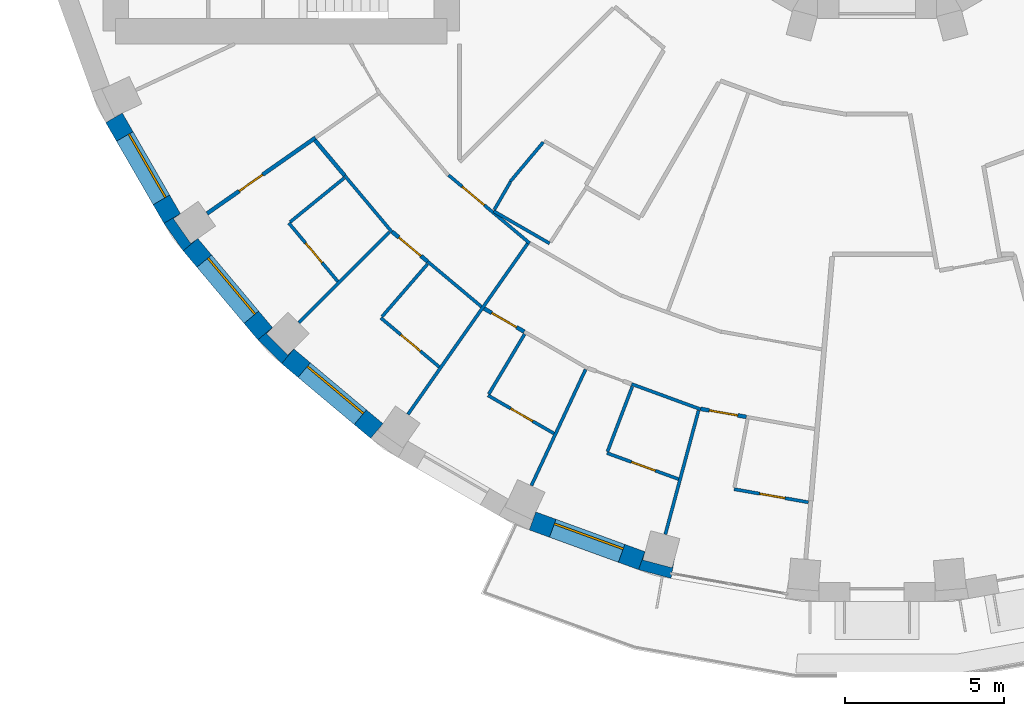
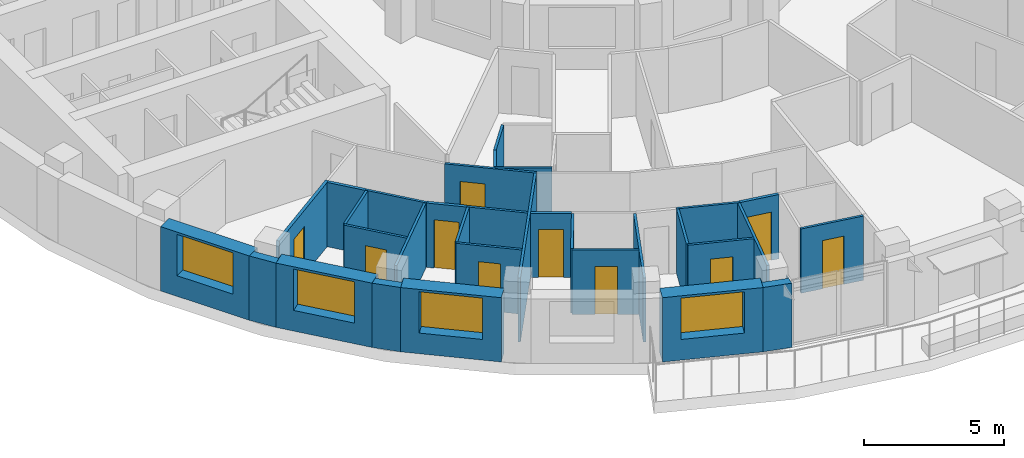
# One storey, part 5 of 16: 32 walls, 10 doors, 4 windows, 14 openings.
"""IFC4 building model written with IfcOpenShell, lengths in metres."""

from ifc_helpers import new_model, si_unit, direction, frame, frame_2d, origin, place, context, subcontext, project, spatial, polyline, rectangle, outline, extrude, material, layer, layer_set, type_object, element, fill, save


model = new_model("IFC4")

# Units and contexts
model_context = context("Model", 3, precision=1e-05, world=origin(), true_north=direction((0.0, 1.0)))
body_context = subcontext(model_context, "Body", "Model", "MODEL_VIEW")
ifc_project = project(units=[si_unit("LENGTHUNIT", "METRE"), si_unit("AREAUNIT", "SQUARE_METRE"), si_unit("VOLUMEUNIT", "CUBIC_METRE"), si_unit("PLANEANGLEUNIT", "RADIAN"), si_unit("MASSUNIT", "GRAM", prefix="KILO")], contexts=[model_context])

# Site, building, storey
site_placement = place(None, origin())
site = spatial("IfcSite", under=ifc_project, at=site_placement, CompositionType="ELEMENT")
building_placement = place(site_placement, origin())
building = spatial("IfcBuilding", under=site, at=building_placement, Name="Saqina Gate Tower", CompositionType="ELEMENT")
storey_placement = place(building_placement, frame((0.0, 0.0, 141.39990234375)))
storey = spatial("IfcBuildingStorey", under=building, at=storey_placement, Name="L40", CompositionType="ELEMENT", Elevation=141.39990234375)

# Walls
ifc_material_1 = material(Name="Brick masonry (buff)", Category="masonry")
wall_type_1 = type_object("IfcWallType", Name="BRICK PIER COPING BUFF", PredefinedType="SOLIDWALL", material=ifc_material_1)
wall_1_placement = place(storey_placement, origin())
element("IfcWall", 1, at=wall_1_placement, inside=storey, type_object=wall_type_1, Name="Pier cap L40 column 22", PredefinedType="SOLIDWALL", context=body_context, shape_type="SweptSolid", body=[
    extrude(outline(polyline([(-21.77685546875, -15.89208984375), (-21.317138671875, -15.50634765625), (-21.53759765625, -15.66064453125), (-22.08251953125, -14.88232421875), (-21.862060546875, -14.728271484375), (-22.3818359375, -15.0283203125), (-21.77685546875, -15.89208984375)])), origin(), (0.0, 0.0, 1.0), 2.800048828125),
])
wall_2_placement = place(storey_placement, origin())
element("IfcWall", 2, at=wall_2_placement, inside=storey, type_object=wall_type_1, Name="Pier cap L40 column 23", PredefinedType="SOLIDWALL", context=body_context, shape_type="SweptSolid", body=[
    extrude(outline(polyline([(-19.43212890625, -18.686279296875), (-18.686279296875, -19.43212890625), (-18.30078125, -18.972412109375), (-18.49072265625, -19.16259765625), (-19.16259765625, -18.49072265625), (-18.972412109375, -18.30078125), (-19.43212890625, -18.686279296875)])), origin(), (0.0, 0.0, 1.0), 2.800048828125),
])
wall_3_placement = place(storey_placement, origin())
element("IfcWall", 3, at=wall_3_placement, inside=storey, type_object=wall_type_1, Name="Pier cap L40 column 26", PredefinedType="SOLIDWALL", context=body_context, shape_type="SweptSolid", body=[
    extrude(outline(polyline([(-7.485595703125, -25.89892578125), (-6.466796875, -26.171875), (-6.36279296875, -25.5810546875), (-6.43212890625, -25.8408203125), (-7.349853515625, -25.5947265625), (-7.2802734375, -25.335205078125), (-7.485595703125, -25.89892578125)])), origin(), (0.0, 0.0, 1.0), 2.800048828125),
])

# Wall, opening, window
ifc_material_2 = material(Name="Brick masonry (buff)", Category="masonry")
ifc_layer_1 = layer(ifc_material_2, 0.60009765625)
ifc_layer_set_1 = layer_set([ifc_layer_1], Name="FW-BRICK-BUFF")
wall_type_2 = type_object("IfcWallType", Name="FW-BRICK-BUFF", PredefinedType="SOLIDWALL", material=ifc_layer_set_1)
wall_4_placement = place(storey_placement, frame((-23.94580078125, -11.718994140625, 0.0), z_axis=(0.0, 0.0, 1.0), x_axis=(0.499954196102, -0.866051847062, 0.0)))
wall_4 = element("IfcWall", 4, at=wall_4_placement, inside=storey, type_object=wall_type_2, Name="Facade wall L40 facet 21", PredefinedType="SOLIDWALL", context=body_context, shape_type="SweptSolid", body=[
    extrude(rectangle(XDim=3.647705078125, YDim=0.60009765625, at=frame_2d((1.82373046875, 0.0))), origin(), (0.0, 0.0, 1.0), 2.800048828125),
])
opening_1_placement = place(wall_4_placement, frame((0.673828125, 0.0, 0.89990234375)))
opening_1 = element("IfcOpeningElement", 5, at=opening_1_placement, cuts=wall_4, Name="Opening G12-W14", PredefinedType="OPENING", context=body_context, shape_type="SweptSolid", body=[
    extrude(rectangle(XDim=2.300048828125, YDim=1.800048828125, at=frame_2d((1.14990234375, 0.89990234375))), frame((0.0, 0.31201171875, 0.0), z_axis=(0.0, -1.0, 0.0), x_axis=(1.0, 0.0, 0.0)), (0.0, 0.0, 1.0), 0.6240234375),
])
ifc_material_3 = material(Name="Aluminium glazing", Category="aluminium")
window_type = type_object("IfcWindowType", Name="WN-B", PartitioningType="SINGLE_PANEL", PredefinedType="WINDOW", material=ifc_material_3)
window_1_placement = place(opening_1_placement, origin())
window_1 = element("IfcWindow", 6, at=window_1_placement, inside=storey, type_object=window_type, Name="Window L40 facet 21", OverallHeight=1.800048828125, OverallWidth=2.300048828125, PartitioningType="SINGLE_PANEL", PredefinedType="WINDOW", context=body_context, shape_type="SweptSolid", body=[
    extrude(rectangle(XDim=2.300048828125, YDim=1.800048828125, at=frame_2d((1.14990234375, 0.89990234375))), frame((0.0, 0.179931640625, 0.0), z_axis=(0.0, -1.0, 0.0), x_axis=(1.0, 0.0, 0.0)), (0.0, 0.0, 1.0), 0.06005859375),
])
fill(opening_1, window_1)

wall_5_placement = place(storey_placement, frame((-21.547119140625, -15.69921875, 0.0), z_axis=(0.0, 0.0, 1.0), x_axis=(0.642774476932, -0.766055462616, 0.0)))
wall_5 = element("IfcWall", 7, at=wall_5_placement, inside=storey, type_object=wall_type_2, Name="Facade wall L40 facet 22", PredefinedType="SOLIDWALL", context=body_context, shape_type="SweptSolid", body=[
    extrude(rectangle(XDim=3.647705078125, YDim=0.60009765625, at=frame_2d((1.82373046875, 0.0))), origin(), (0.0, 0.0, 1.0), 2.800048828125),
])
opening_2_placement = place(wall_5_placement, frame((0.673828125, 0.0, 0.89990234375)))
opening_2 = element("IfcOpeningElement", 8, at=opening_2_placement, cuts=wall_5, Name="Opening G12-W15", PredefinedType="OPENING", context=body_context, shape_type="SweptSolid", body=[
    extrude(rectangle(XDim=2.300048828125, YDim=1.800048828125, at=frame_2d((1.14990234375, 0.89990234375))), frame((0.0, 0.31201171875, 0.0), z_axis=(0.0, -1.0, 0.0), x_axis=(1.0, 0.0, 0.0)), (0.0, 0.0, 1.0), 0.6240234375),
])
window_2_placement = place(opening_2_placement, origin())
window_2 = element("IfcWindow", 9, at=window_2_placement, inside=storey, type_object=window_type, Name="Window L40 facet 22", OverallHeight=1.800048828125, OverallWidth=2.300048828125, PartitioningType="SINGLE_PANEL", PredefinedType="WINDOW", context=body_context, shape_type="SweptSolid", body=[
    extrude(rectangle(XDim=2.300048828125, YDim=1.800048828125, at=frame_2d((1.14990234375, 0.89990234375))), frame((0.0, 0.179931640625, 0.0), z_axis=(0.0, -1.0, 0.0), x_axis=(1.0, 0.0, 0.0)), (0.0, 0.0, 1.0), 0.06005859375),
])
fill(opening_2, window_2)

wall_6_placement = place(storey_placement, frame((-18.49365234375, -19.202392578125, 0.0), z_axis=(0.0, 0.0, 1.0), x_axis=(0.766055462616, -0.642774476932, 0.0)))
wall_6 = element("IfcWall", 10, at=wall_6_placement, inside=storey, type_object=wall_type_2, Name="Facade wall L40 facet 23", PredefinedType="SOLIDWALL", context=body_context, shape_type="SweptSolid", body=[
    extrude(rectangle(XDim=3.647705078125, YDim=0.60009765625, at=frame_2d((1.82373046875, 0.0))), origin(), (0.0, 0.0, 1.0), 2.800048828125),
])
opening_3_placement = place(wall_6_placement, frame((0.673828125, 0.0, 0.89990234375)))
opening_3 = element("IfcOpeningElement", 11, at=opening_3_placement, cuts=wall_6, Name="Opening G12-W16", PredefinedType="OPENING", context=body_context, shape_type="SweptSolid", body=[
    extrude(rectangle(XDim=2.300048828125, YDim=1.800048828125, at=frame_2d((1.14990234375, 0.89990234375))), frame((0.0, 0.31201171875, 0.0), z_axis=(0.0, -1.0, 0.0), x_axis=(1.0, 0.0, 0.0)), (0.0, 0.0, 1.0), 0.6240234375),
])
window_3_placement = place(opening_3_placement, origin())
window_3 = element("IfcWindow", 12, at=window_3_placement, inside=storey, type_object=window_type, Name="Window L40 facet 23", OverallHeight=1.800048828125, OverallWidth=2.300048828125, PartitioningType="SINGLE_PANEL", PredefinedType="WINDOW", context=body_context, shape_type="SweptSolid", body=[
    extrude(rectangle(XDim=2.300048828125, YDim=1.800048828125, at=frame_2d((1.14990234375, 0.89990234375))), frame((0.0, 0.179931640625, 0.0), z_axis=(0.0, -1.0, 0.0), x_axis=(1.0, 0.0, 0.0)), (0.0, 0.0, 1.0), 0.06005859375),
])
fill(opening_3, window_3)

wall_7_placement = place(storey_placement, frame((-10.810791015625, -24.369384765625, 0.0), z_axis=(0.0, 0.0, 1.0), x_axis=(0.939703505393, -0.341990236633, 0.0)))
wall_7 = element("IfcWall", 13, at=wall_7_placement, inside=storey, type_object=wall_type_2, Name="Facade wall L40 facet 25", PredefinedType="SOLIDWALL", context=body_context, shape_type="SweptSolid", body=[
    extrude(rectangle(XDim=3.64794921875, YDim=0.60009765625, at=frame_2d((1.823974609375, 0.0))), origin(), (0.0, 0.0, 1.0), 2.800048828125),
])
opening_4_placement = place(wall_7_placement, frame((0.673828125, 0.0, 0.89990234375)))
opening_4 = element("IfcOpeningElement", 14, at=opening_4_placement, cuts=wall_7, Name="Opening G12-W18", PredefinedType="OPENING", context=body_context, shape_type="SweptSolid", body=[
    extrude(rectangle(XDim=2.300048828125, YDim=1.800048828125, at=frame_2d((1.14990234375, 0.89990234375))), frame((0.0, 0.31201171875, 0.0), z_axis=(0.0, -1.0, 0.0), x_axis=(1.0, 0.0, 0.0)), (0.0, 0.0, 1.0), 0.6240234375),
])
window_4_placement = place(opening_4_placement, origin())
window_4 = element("IfcWindow", 15, at=window_4_placement, inside=storey, type_object=window_type, Name="Window L40 facet 25", OverallHeight=1.800048828125, OverallWidth=2.300048828125, PartitioningType="SINGLE_PANEL", PredefinedType="WINDOW", context=body_context, shape_type="SweptSolid", body=[
    extrude(rectangle(XDim=2.300048828125, YDim=1.800048828125, at=frame_2d((1.14990234375, 0.89990234375))), frame((0.0, 0.179931640625, 0.0), z_axis=(0.0, -1.0, 0.0), x_axis=(1.0, 0.0, 0.0)), (0.0, 0.0, 1.0), 0.06005859375),
])
fill(opening_4, window_4)

# Wall, opening, door
ifc_material_4 = material(Name="Gypsum board on steel studs, 100 mm", Category="steel")
ifc_layer_2 = layer(ifc_material_4, 0.10009765625)
ifc_layer_set_2 = layer_set([ifc_layer_2], Name="PARTITION 100")
wall_type_3 = type_object("IfcWallType", Name="PARTITION 100", PredefinedType="PARTITIONING", material=ifc_layer_set_2)
wall_8_placement = place(storey_placement, frame((-18.4599609375, -15.02197265625, 0.0), z_axis=(0.0, 0.0, 1.0), x_axis=(0.642942941421, -0.765914077477, 0.0)))
wall_8 = element("IfcWall", 16, at=wall_8_placement, inside=storey, type_object=wall_type_3, Name="PARTITION PW3-16", PredefinedType="PARTITIONING", context=body_context, shape_type="SweptSolid", body=[
    extrude(rectangle(XDim=2.390380859375, YDim=0.10009765625, at=frame_2d((1.1953125, 0.0))), origin(), (0.0, 0.0, 1.0), 2.800048828125),
])
opening_5_placement = place(wall_8_placement, frame((0.820068359375, 0.0, 0.0)))
opening_5 = element("IfcOpeningElement", 17, at=opening_5_placement, cuts=wall_8, Name="Opening G12-D34", PredefinedType="OPENING", context=body_context, shape_type="SweptSolid", body=[
    extrude(rectangle(XDim=0.800048828125, YDim=2.10009765625, at=frame_2d((0.39990234375, 1.050048828125))), frame((0.0, 0.06201171875, 0.0), z_axis=(0.0, -1.0, 0.0), x_axis=(1.0, 0.0, 0.0)), (0.0, 0.0, 1.0), 0.1240234375),
])
ifc_material_5 = material(Name="Timber door leaf, 800 mm", Category="wood")
door_type_1 = type_object("IfcDoorType", Name="DOOR 800 TIMBER", OperationType="SINGLE_SWING_LEFT", PredefinedType="DOOR", material=ifc_material_5)
door_1_placement = place(opening_5_placement, frame((0.800048828125, 0.0, 0.0), z_axis=(0.0, 0.0, 1.0), x_axis=(-1.0, 0.0, 0.0)))
door_1 = element("IfcDoor", 18, at=door_1_placement, inside=storey, type_object=door_type_1, Name="DOOR G12-D34", OperationType="SINGLE_SWING_LEFT", OverallHeight=2.10009765625, OverallWidth=0.800048828125, PredefinedType="DOOR", context=body_context, shape_type="SweptSolid", body=[
    extrude(rectangle(XDim=0.800048828125, YDim=2.10009765625, at=frame_2d((0.39990234375, 1.050048828125))), frame((0.0, 0.02490234375, 0.0), z_axis=(0.0, -1.0, 0.0), x_axis=(1.0, 0.0, 0.0)), (0.0, 0.0, 1.0), 0.050048828125),
])
fill(opening_5, door_1)

# Wall
wall_9_placement = place(storey_placement, frame((-16.708251953125, -13.53173828125, 0.0), z_axis=(0.0, 0.0, 1.0), x_axis=(0.642750453819, -0.766075619058, 0.0)))
element("IfcWall", 19, at=wall_9_placement, inside=storey, type_object=wall_type_3, Name="PARTITION PW3-17", PredefinedType="PARTITIONING", context=body_context, shape_type="SweptSolid", body=[
    extrude(rectangle(XDim=2.308349609375, YDim=0.10009765625, at=frame_2d((1.154296875, 0.0))), origin(), (0.0, 0.0, 1.0), 2.800048828125),
])

# Wall, opening, door
wall_10_placement = place(storey_placement, frame((-15.571044921875, -17.9990234375, 0.0), z_axis=(0.0, 0.0, 1.0), x_axis=(0.765914077477, -0.642942941421, 0.0)))
wall_10 = element("IfcWall", 20, at=wall_10_placement, inside=storey, type_object=wall_type_3, Name="PARTITION PW3-26", PredefinedType="PARTITIONING", context=body_context, shape_type="SweptSolid", body=[
    extrude(rectangle(XDim=2.390380859375, YDim=0.10009765625, at=frame_2d((1.1953125, 0.0))), origin(), (0.0, 0.0, 1.0), 2.800048828125),
])
opening_6_placement = place(wall_10_placement, frame((0.820068359375, 0.0, 0.0)))
opening_6 = element("IfcOpeningElement", 21, at=opening_6_placement, cuts=wall_10, Name="Opening G12-D38", PredefinedType="OPENING", context=body_context, shape_type="SweptSolid", body=[
    extrude(rectangle(XDim=0.800048828125, YDim=2.10009765625, at=frame_2d((0.39990234375, 1.050048828125))), frame((0.0, 0.06201171875, 0.0), z_axis=(0.0, -1.0, 0.0), x_axis=(1.0, 0.0, 0.0)), (0.0, 0.0, 1.0), 0.1240234375),
])
door_2_placement = place(opening_6_placement, frame((0.800048828125, 0.0, 0.0), z_axis=(0.0, 0.0, 1.0), x_axis=(-1.0, 0.0, 0.0)))
door_2 = element("IfcDoor", 22, at=door_2_placement, inside=storey, type_object=door_type_1, Name="DOOR G12-D38", OperationType="SINGLE_SWING_LEFT", OverallHeight=2.10009765625, OverallWidth=0.800048828125, PredefinedType="DOOR", context=body_context, shape_type="SweptSolid", body=[
    extrude(rectangle(XDim=0.800048828125, YDim=2.10009765625, at=frame_2d((0.39990234375, 1.050048828125))), frame((0.0, 0.02490234375, 0.0), z_axis=(0.0, -1.0, 0.0), x_axis=(1.0, 0.0, 0.0)), (0.0, 0.0, 1.0), 0.050048828125),
])
fill(opening_6, door_2)

# Wall
wall_11_placement = place(storey_placement, frame((-14.1044921875, -16.22802734375, 0.0), z_axis=(0.0, 0.0, 1.0), x_axis=(0.766093039246, -0.642729690631, 0.0)))
element("IfcWall", 23, at=wall_11_placement, inside=storey, type_object=wall_type_3, Name="PARTITION PW3-27", PredefinedType="PARTITIONING", context=body_context, shape_type="SweptSolid", body=[
    extrude(rectangle(XDim=2.20458984375, YDim=0.10009765625, at=frame_2d((1.102294921875, 0.0))), origin(), (0.0, 0.0, 1.0), 2.800048828125),
])

# Wall, opening, door
wall_12_placement = place(storey_placement, frame((-13.44677734375, -13.51708984375, 0.0), z_axis=(0.0, 0.0, 1.0), x_axis=(0.765959402554, -0.642888943472, 0.0)))
wall_12 = element("IfcWall", 24, at=wall_12_placement, inside=storey, type_object=wall_type_3, Name="PARTITION PW3-28", PredefinedType="PARTITIONING", context=body_context, shape_type="SweptSolid", body=[
    extrude(rectangle(XDim=3.32470703125, YDim=0.10009765625, at=frame_2d((1.662353515625, 0.0))), origin(), (0.0, 0.0, 1.0), 2.800048828125),
])
opening_7_placement = place(wall_12_placement, frame((0.56201171875, 0.0, 0.0)))
opening_7 = element("IfcOpeningElement", 25, at=opening_7_placement, cuts=wall_12, Name="Opening G12-D36", PredefinedType="OPENING", context=body_context, shape_type="SweptSolid", body=[
    extrude(rectangle(XDim=0.89990234375, YDim=2.10009765625, at=frame_2d((0.449951171875, 1.050048828125))), frame((0.0, 0.06201171875, 0.0), z_axis=(0.0, -1.0, 0.0), x_axis=(1.0, 0.0, 0.0)), (0.0, 0.0, 1.0), 0.1240234375),
])
ifc_material_6 = material(Name="Timber door leaf, 900 mm", Category="wood")
door_type_2 = type_object("IfcDoorType", Name="DOOR 900 TIMBER", OperationType="SINGLE_SWING_LEFT", PredefinedType="DOOR", material=ifc_material_6)
door_3_placement = place(opening_7_placement, origin())
door_3 = element("IfcDoor", 26, at=door_3_placement, inside=storey, type_object=door_type_2, Name="DOOR G12-D36", OperationType="SINGLE_SWING_RIGHT", OverallHeight=2.10009765625, OverallWidth=0.89990234375, PredefinedType="DOOR", context=body_context, shape_type="SweptSolid", body=[
    extrude(rectangle(XDim=0.89990234375, YDim=2.10009765625, at=frame_2d((0.449951171875, 1.050048828125))), frame((0.0, 0.02490234375, 0.0), z_axis=(0.0, -1.0, 0.0), x_axis=(1.0, 0.0, 0.0)), (0.0, 0.0, 1.0), 0.050048828125),
])
fill(opening_7, door_3)

wall_13_placement = place(storey_placement, frame((-12.208984375, -20.429931640625, 0.0), z_axis=(0.0, 0.0, 1.0), x_axis=(0.865989934965, -0.500061428766, 0.0)))
wall_13 = element("IfcWall", 27, at=wall_13_placement, inside=storey, type_object=wall_type_3, Name="PARTITION PW3-37", PredefinedType="PARTITIONING", context=body_context, shape_type="SweptSolid", body=[
    extrude(rectangle(XDim=2.389892578125, YDim=0.10009765625, at=frame_2d((1.19482421875, 0.0))), origin(), (0.0, 0.0, 1.0), 2.800048828125),
])
opening_8_placement = place(wall_13_placement, frame((0.820068359375, 0.0, 0.0)))
opening_8 = element("IfcOpeningElement", 28, at=opening_8_placement, cuts=wall_13, Name="Opening G12-D41", PredefinedType="OPENING", context=body_context, shape_type="SweptSolid", body=[
    extrude(rectangle(XDim=0.800048828125, YDim=2.10009765625, at=frame_2d((0.39990234375, 1.050048828125))), frame((0.0, 0.06201171875, 0.0), z_axis=(0.0, -1.0, 0.0), x_axis=(1.0, 0.0, 0.0)), (0.0, 0.0, 1.0), 0.1240234375),
])
door_4_placement = place(opening_8_placement, frame((0.800048828125, 0.0, 0.0), z_axis=(0.0, 0.0, 1.0), x_axis=(-1.0, 0.0, 0.0)))
door_4 = element("IfcDoor", 29, at=door_4_placement, inside=storey, type_object=door_type_1, Name="DOOR G12-D41", OperationType="SINGLE_SWING_LEFT", OverallHeight=2.10009765625, OverallWidth=0.800048828125, PredefinedType="DOOR", context=body_context, shape_type="SweptSolid", body=[
    extrude(rectangle(XDim=0.800048828125, YDim=2.10009765625, at=frame_2d((0.39990234375, 1.050048828125))), frame((0.0, 0.02490234375, 0.0), z_axis=(0.0, -1.0, 0.0), x_axis=(1.0, 0.0, 0.0)), (0.0, 0.0, 1.0), 0.050048828125),
])
fill(opening_8, door_4)

# Walls
wall_14_placement = place(storey_placement, frame((-12.031982421875, -14.646728515625, 0.0), z_axis=(0.0, 0.0, 1.0), x_axis=(0.866085299251, -0.499896243657, 0.0)))
element("IfcWall", 30, at=wall_14_placement, inside=storey, type_object=wall_type_3, Name="PARTITION PW3-39", PredefinedType="PARTITIONING", context=body_context, shape_type="SweptSolid", body=[
    extrude(rectangle(XDim=2.02685546875, YDim=0.10009765625, at=frame_2d((1.013427734375, 0.0))), origin(), (0.0, 0.0, 1.0), 2.800048828125),
])
wall_15_placement = place(storey_placement, frame((-7.703857421875, -20.07275390625, 0.0), z_axis=(0.0, 0.0, 1.0), x_axis=(0.939002837997, -0.343909392476, 0.0)))
element("IfcWall", 31, at=wall_15_placement, inside=storey, type_object=wall_type_3, Name="PARTITION PW3-47", PredefinedType="PARTITIONING", context=body_context, shape_type="SweptSolid", body=[
    extrude(rectangle(XDim=2.306396484375, YDim=0.10009765625, at=frame_2d((1.1533203125, 0.0))), origin(), (0.0, 0.0, 1.0), 2.800048828125),
])

# Wall, opening, door
wall_16_placement = place(storey_placement, frame((-8.47607421875, -22.239013671875, 0.0), z_axis=(0.0, 0.0, 1.0), x_axis=(0.939644231496, -0.342153062556, 0.0)))
wall_16 = element("IfcWall", 32, at=wall_16_placement, inside=storey, type_object=wall_type_3, Name="PARTITION PW3-48", PredefinedType="PARTITIONING", context=body_context, shape_type="SweptSolid", body=[
    extrude(rectangle(XDim=2.390380859375, YDim=0.10009765625, at=frame_2d((1.1953125, 0.0))), origin(), (0.0, 0.0, 1.0), 2.800048828125),
])
opening_9_placement = place(wall_16_placement, frame((0.8203125, 0.0, 0.0)))
opening_9 = element("IfcOpeningElement", 33, at=opening_9_placement, cuts=wall_16, Name="Opening G12-D44", PredefinedType="OPENING", context=body_context, shape_type="SweptSolid", body=[
    extrude(rectangle(XDim=0.800048828125, YDim=2.10009765625, at=frame_2d((0.39990234375, 1.050048828125))), frame((0.0, 0.06201171875, 0.0), z_axis=(0.0, -1.0, 0.0), x_axis=(1.0, 0.0, 0.0)), (0.0, 0.0, 1.0), 0.1240234375),
])
door_5_placement = place(opening_9_placement, frame((0.800048828125, 0.0, 0.0), z_axis=(0.0, 0.0, 1.0), x_axis=(-1.0, 0.0, 0.0)))
door_5 = element("IfcDoor", 34, at=door_5_placement, inside=storey, type_object=door_type_1, Name="DOOR G12-D44", OperationType="SINGLE_SWING_LEFT", OverallHeight=2.10009765625, OverallWidth=0.800048828125, PredefinedType="DOOR", context=body_context, shape_type="SweptSolid", body=[
    extrude(rectangle(XDim=0.800048828125, YDim=2.10009765625, at=frame_2d((0.39990234375, 1.050048828125))), frame((0.0, 0.02490234375, 0.0), z_axis=(0.0, -1.0, 0.0), x_axis=(1.0, 0.0, 0.0)), (0.0, 0.0, 1.0), 0.050048828125),
])
fill(opening_9, door_5)

wall_17_placement = place(storey_placement, frame((-4.486083984375, -23.373046875, 0.0), z_axis=(0.0, 0.0, 1.0), x_axis=(0.984805365509, -0.173661717325, 0.0)))
wall_17 = element("IfcWall", 35, at=wall_17_placement, inside=storey, type_object=wall_type_3, Name="PARTITION PW3-53", PredefinedType="PARTITIONING", context=body_context, shape_type="SweptSolid", body=[
    extrude(rectangle(XDim=2.365966796875, YDim=0.10009765625, at=frame_2d((1.18310546875, 0.0))), origin(), (0.0, 0.0, 1.0), 2.800048828125),
])
opening_10_placement = place(wall_17_placement, frame((0.820556640625, 0.0, 0.0)))
opening_10 = element("IfcOpeningElement", 36, at=opening_10_placement, cuts=wall_17, Name="Opening G12-D47", PredefinedType="OPENING", context=body_context, shape_type="SweptSolid", body=[
    extrude(rectangle(XDim=0.800048828125, YDim=2.10009765625, at=frame_2d((0.39990234375, 1.050048828125))), frame((0.0, 0.06201171875, 0.0), z_axis=(0.0, -1.0, 0.0), x_axis=(1.0, 0.0, 0.0)), (0.0, 0.0, 1.0), 0.1240234375),
])
door_6_placement = place(opening_10_placement, frame((0.800048828125, 0.0, 0.0), z_axis=(0.0, 0.0, 1.0), x_axis=(-1.0, 0.0, 0.0)))
door_6 = element("IfcDoor", 37, at=door_6_placement, inside=storey, type_object=door_type_1, Name="DOOR G12-D47", OperationType="SINGLE_SWING_LEFT", OverallHeight=2.10009765625, OverallWidth=0.800048828125, PredefinedType="DOOR", context=body_context, shape_type="SweptSolid", body=[
    extrude(rectangle(XDim=0.800048828125, YDim=2.10009765625, at=frame_2d((0.39990234375, 1.050048828125))), frame((0.0, 0.02490234375, 0.0), z_axis=(0.0, -1.0, 0.0), x_axis=(1.0, 0.0, 0.0)), (0.0, 0.0, 1.0), 0.050048828125),
])
fill(opening_10, door_6)

# Walls
wall_18_placement = place(storey_placement, frame((-18.421142578125, -14.990478515625, 0.0), z_axis=(0.0, 0.0, 1.0), x_axis=(0.77556073315, 0.631272959342, 0.0)))
element("IfcWall", 38, at=wall_18_placement, inside=storey, type_object=wall_type_3, Name="PARTITION PW3-79", PredefinedType="PARTITIONING", context=body_context, shape_type="SweptSolid", body=[
    extrude(rectangle(XDim=2.187744140625, YDim=0.10009765625, at=frame_2d((1.09375, 0.0))), origin(), (0.0, 0.0, 1.0), 2.800048828125),
])
wall_19_placement = place(storey_placement, frame((-18.14794921875, -18.14794921875, 0.0), z_axis=(0.0, 0.0, 1.0), x_axis=(0.707106781187, 0.707106781187, 0.0)))
element("IfcWall", 39, at=wall_19_placement, inside=storey, type_object=wall_type_3, Name="PARTITION PW3-87", PredefinedType="PARTITIONING", context=body_context, shape_type="SweptSolid", body=[
    extrude(rectangle(XDim=4.02294921875, YDim=0.10009765625, at=frame_2d((2.011474609375, 0.0))), origin(), (0.0, 0.0, 1.0), 2.800048828125),
])
wall_20_placement = place(storey_placement, frame((-15.538330078125, -17.961181640625, 0.0), z_axis=(0.0, 0.0, 1.0), x_axis=(0.654433202149, 0.756119821143, 0.0)))
element("IfcWall", 40, at=wall_20_placement, inside=storey, type_object=wall_type_3, Name="PARTITION PW3-89", PredefinedType="PARTITIONING", context=body_context, shape_type="SweptSolid", body=[
    extrude(rectangle(XDim=2.187255859375, YDim=0.10009765625, at=frame_2d((1.09375, 0.0))), origin(), (0.0, 0.0, 1.0), 2.800048828125),
])
wall_21_placement = place(storey_placement, frame((-11.508544921875, -13.71484375, 0.0), z_axis=(0.0, 0.0, 1.0), x_axis=(0.643138636987, 0.765749759134, 0.0)))
element("IfcWall", 41, at=wall_21_placement, inside=storey, type_object=wall_type_3, Name="PARTITION PW3-92", PredefinedType="PARTITIONING", context=body_context, shape_type="SweptSolid", body=[
    extrude(rectangle(XDim=1.60693359375, YDim=0.10009765625, at=frame_2d((0.803466796875, 0.0))), origin(), (0.0, 0.0, 1.0), 2.800048828125),
])
wall_22_placement = place(storey_placement, frame((-14.721435546875, -21.02294921875, 0.0), z_axis=(0.0, 0.0, 1.0), x_axis=(0.573845384598, 0.818963658886, 0.0)))
element("IfcWall", 42, at=wall_22_placement, inside=storey, type_object=wall_type_3, Name="PARTITION PW3-97", PredefinedType="PARTITIONING", context=body_context, shape_type="SweptSolid", body=[
    extrude(rectangle(XDim=6.543701171875, YDim=0.10009765625, at=frame_2d((3.27197265625, 0.0))), origin(), (0.0, 0.0, 1.0), 2.800048828125),
])
wall_23_placement = place(storey_placement, frame((-12.183349609375, -20.386962890625, 0.0), z_axis=(0.0, 0.0, 1.0), x_axis=(0.512903306279, 0.85844638645, 0.0)))
element("IfcWall", 43, at=wall_23_placement, inside=storey, type_object=wall_type_3, Name="PARTITION PW3-100", PredefinedType="PARTITIONING", context=body_context, shape_type="SweptSolid", body=[
    extrude(rectangle(XDim=2.188232421875, YDim=0.10009765625, at=frame_2d((1.09423828125, 0.0))), origin(), (0.0, 0.0, 1.0), 2.800048828125),
])
wall_24_placement = place(storey_placement, frame((-12.009033203125, -14.599853515625, 0.0), z_axis=(0.0, 0.0, 1.0), x_axis=(0.499729383125, 0.866181588145, 0.0)))
element("IfcWall", 44, at=wall_24_placement, inside=storey, type_object=wall_type_3, Name="PARTITION PW3-102", PredefinedType="PARTITIONING", context=body_context, shape_type="SweptSolid", body=[
    extrude(rectangle(XDim=1.0166015625, YDim=0.10009765625, at=frame_2d((0.50830078125, 0.0))), origin(), (0.0, 0.0, 1.0), 2.800048828125),
])
wall_25_placement = place(storey_placement, frame((-10.84765625, -23.260009765625, 0.0), z_axis=(0.0, 0.0, 1.0), x_axis=(0.422895432818, 0.906178488434, 0.0)))
element("IfcWall", 45, at=wall_25_placement, inside=storey, type_object=wall_type_3, Name="PARTITION PW3-106", PredefinedType="PARTITIONING", context=body_context, shape_type="SweptSolid", body=[
    extrude(rectangle(XDim=4.022705078125, YDim=0.10009765625, at=frame_2d((2.01123046875, 0.0))), origin(), (0.0, 0.0, 1.0), 2.800048828125),
])
wall_26_placement = place(storey_placement, frame((-8.458251953125, -22.1923828125, 0.0), z_axis=(0.0, 0.0, 1.0), x_axis=(0.35615776917, 0.934425836255, 0.0)))
element("IfcWall", 46, at=wall_26_placement, inside=storey, type_object=wall_type_3, Name="PARTITION PW3-108", PredefinedType="PARTITIONING", context=body_context, shape_type="SweptSolid", body=[
    extrude(rectangle(XDim=2.1875, YDim=0.10009765625, at=frame_2d((1.09375, 0.0))), origin(), (0.0, 0.0, 1.0), 2.800048828125),
])
wall_27_placement = place(storey_placement, frame((-6.64404296875, -24.7900390625, 0.0), z_axis=(0.0, 0.0, 1.0), x_axis=(0.259176889868, 0.965829871022, 0.0)))
element("IfcWall", 47, at=wall_27_placement, inside=storey, type_object=wall_type_3, Name="PARTITION PW3-112", PredefinedType="PARTITIONING", context=body_context, shape_type="SweptSolid", body=[
    extrude(rectangle(XDim=4.023193359375, YDim=0.10009765625, at=frame_2d((2.01171875, 0.0))), origin(), (0.0, 0.0, 1.0), 2.800048828125),
])
ifc_material_7 = material(Name="Gypsum board on steel studs, 125 mm, fire rated", Category="steel")
ifc_layer_3 = layer(ifc_material_7, 0.125)
ifc_layer_set_3 = layer_set([ifc_layer_3], Name="PARTITION EI 30 125")
wall_type_4 = type_object("IfcWallType", Name="PARTITION EI 30 125", PredefinedType="PARTITIONING", material=ifc_layer_set_3)
wall_28_placement = place(storey_placement, frame((-17.642333984375, -12.418212890625, 0.0), z_axis=(0.0, 0.0, 1.0), x_axis=(0.642675879231, -0.76613818222, 0.0)))
element("IfcWall", 48, at=wall_28_placement, inside=storey, type_object=wall_type_4, Name="PARTITION PW1-04", PredefinedType="PARTITIONING", context=body_context, shape_type="SweptSolid", body=[
    extrude(rectangle(XDim=1.453369140625, YDim=0.125, at=frame_2d((0.7265625, 0.0))), origin(), (0.0, 0.0, 1.0), 2.800048828125),
])

# Wall, opening, door
wall_29_placement = place(storey_placement, frame((-15.21875, -15.292724609375, 0.0), z_axis=(0.0, 0.0, 1.0), x_axis=(0.766084916972, -0.642739371742, 0.0)))
wall_29 = element("IfcWall", 49, at=wall_29_placement, inside=storey, type_object=wall_type_4, Name="PARTITION PW1-11", PredefinedType="PARTITIONING", context=body_context, shape_type="SweptSolid", body=[
    extrude(rectangle(XDim=1.454833984375, YDim=0.125, at=frame_2d((0.7275390625, 0.0))), origin(), (0.0, 0.0, 1.0), 2.800048828125),
])
opening_11_placement = place(wall_29_placement, frame((0.277587890625, 0.0, 0.0)))
opening_11 = element("IfcOpeningElement", 50, at=opening_11_placement, cuts=wall_29, Name="Opening G12-D35", PredefinedType="OPENING", context=body_context, shape_type="SweptSolid", body=[
    extrude(rectangle(XDim=0.89990234375, YDim=2.10009765625, at=frame_2d((0.449951171875, 1.050048828125))), frame((0.0, 0.074462890625, 0.0), z_axis=(0.0, -1.0, 0.0), x_axis=(1.0, 0.0, 0.0)), (0.0, 0.0, 1.0), 0.14892578125),
])
ifc_material_8 = material(Name="Fire door leaf EI 30, 900 mm")
door_type_3 = type_object("IfcDoorType", Name="DOOR 900 EI 30", OperationType="SINGLE_SWING_LEFT", PredefinedType="DOOR", material=ifc_material_8)
door_7_placement = place(opening_11_placement, origin())
door_7 = element("IfcDoor", 51, at=door_7_placement, inside=storey, type_object=door_type_3, Name="DOOR G12-D35", OperationType="SINGLE_SWING_LEFT", OverallHeight=2.10009765625, OverallWidth=0.89990234375, PredefinedType="DOOR", context=body_context, shape_type="SweptSolid", body=[
    extrude(rectangle(XDim=0.89990234375, YDim=2.10009765625, at=frame_2d((0.449951171875, 1.050048828125))), frame((0.0, 0.02490234375, 0.0), z_axis=(0.0, -1.0, 0.0), x_axis=(1.0, 0.0, 0.0)), (0.0, 0.0, 1.0), 0.050048828125),
])
fill(opening_11, door_7)

wall_30_placement = place(storey_placement, frame((-12.333740234375, -17.701904296875, 0.0), z_axis=(0.0, 0.0, 1.0), x_axis=(0.866110229381, -0.499853048967, 0.0)))
wall_30 = element("IfcWall", 52, at=wall_30_placement, inside=storey, type_object=wall_type_4, Name="PARTITION PW1-17", PredefinedType="PARTITIONING", context=body_context, shape_type="SweptSolid", body=[
    extrude(rectangle(XDim=1.45654296875, YDim=0.125, at=frame_2d((0.728271484375, 0.0))), origin(), (0.0, 0.0, 1.0), 2.800048828125),
])
opening_12_placement = place(wall_30_placement, frame((0.2783203125, 0.0, 0.0)))
opening_12 = element("IfcOpeningElement", 53, at=opening_12_placement, cuts=wall_30, Name="Opening G12-D40", PredefinedType="OPENING", context=body_context, shape_type="SweptSolid", body=[
    extrude(rectangle(XDim=0.89990234375, YDim=2.10009765625, at=frame_2d((0.449951171875, 1.050048828125))), frame((0.0, 0.074462890625, 0.0), z_axis=(0.0, -1.0, 0.0), x_axis=(1.0, 0.0, 0.0)), (0.0, 0.0, 1.0), 0.14892578125),
])
door_8_placement = place(opening_12_placement, origin())
door_8 = element("IfcDoor", 54, at=door_8_placement, inside=storey, type_object=door_type_3, Name="DOOR G12-D40", OperationType="SINGLE_SWING_LEFT", OverallHeight=2.10009765625, OverallWidth=0.89990234375, PredefinedType="DOOR", context=body_context, shape_type="SweptSolid", body=[
    extrude(rectangle(XDim=0.89990234375, YDim=2.10009765625, at=frame_2d((0.449951171875, 1.050048828125))), frame((0.0, 0.02490234375, 0.0), z_axis=(0.0, -1.0, 0.0), x_axis=(1.0, 0.0, 0.0)), (0.0, 0.0, 1.0), 0.050048828125),
])
fill(opening_12, door_8)

wall_31_placement = place(storey_placement, frame((-5.53564453125, -20.852783203125, 0.0), z_axis=(0.0, 0.0, 1.0), x_axis=(0.984862774054, -0.173335848233, 0.0)))
wall_31 = element("IfcWall", 55, at=wall_31_placement, inside=storey, type_object=wall_type_4, Name="PARTITION PW1-24", PredefinedType="PARTITIONING", context=body_context, shape_type="SweptSolid", body=[
    extrude(rectangle(XDim=1.456298828125, YDim=0.125, at=frame_2d((0.72802734375, 0.0))), origin(), (0.0, 0.0, 1.0), 2.800048828125),
])
opening_13_placement = place(wall_31_placement, frame((0.2783203125, 0.0, 0.0)))
opening_13 = element("IfcOpeningElement", 56, at=opening_13_placement, cuts=wall_31, Name="Opening G12-D45", PredefinedType="OPENING", context=body_context, shape_type="SweptSolid", body=[
    extrude(rectangle(XDim=0.89990234375, YDim=2.10009765625, at=frame_2d((0.449951171875, 1.050048828125))), frame((0.0, 0.074462890625, 0.0), z_axis=(0.0, -1.0, 0.0), x_axis=(1.0, 0.0, 0.0)), (0.0, 0.0, 1.0), 0.14892578125),
])
door_9_placement = place(opening_13_placement, origin())
door_9 = element("IfcDoor", 57, at=door_9_placement, inside=storey, type_object=door_type_3, Name="DOOR G12-D45", OperationType="SINGLE_SWING_LEFT", OverallHeight=2.10009765625, OverallWidth=0.89990234375, PredefinedType="DOOR", context=body_context, shape_type="SweptSolid", body=[
    extrude(rectangle(XDim=0.89990234375, YDim=2.10009765625, at=frame_2d((0.449951171875, 1.050048828125))), frame((0.0, 0.02490234375, 0.0), z_axis=(0.0, -1.0, 0.0), x_axis=(1.0, 0.0, 0.0)), (0.0, 0.0, 1.0), 0.050048828125),
])
fill(opening_13, door_9)

wall_32_placement = place(storey_placement, frame((-21.023681640625, -14.720458984375, 0.0), z_axis=(0.0, 0.0, 1.0), x_axis=(0.819381203096, 0.573249024433, 0.0)))
wall_32 = element("IfcWall", 58, at=wall_32_placement, inside=storey, type_object=wall_type_4, Name="PARTITION PW1-42", PredefinedType="PARTITIONING", context=body_context, shape_type="SweptSolid", body=[
    extrude(rectangle(XDim=4.148193359375, YDim=0.125, at=frame_2d((2.07421875, 0.0))), origin(), (0.0, 0.0, 1.0), 2.800048828125),
])
opening_14_placement = place(wall_32_placement, frame((1.2255859375, 0.0, 0.0)))
opening_14 = element("IfcOpeningElement", 59, at=opening_14_placement, cuts=wall_32, Name="Opening G12-D33", PredefinedType="OPENING", context=body_context, shape_type="SweptSolid", body=[
    extrude(rectangle(XDim=0.89990234375, YDim=2.10009765625, at=frame_2d((0.449951171875, 1.050048828125))), frame((0.0, 0.074462890625, 0.0), z_axis=(0.0, -1.0, 0.0), x_axis=(1.0, 0.0, 0.0)), (0.0, 0.0, 1.0), 0.14892578125),
])
door_10_placement = place(opening_14_placement, origin())
door_10 = element("IfcDoor", 60, at=door_10_placement, inside=storey, type_object=door_type_3, Name="DOOR G12-D33", OperationType="SINGLE_SWING_LEFT", OverallHeight=2.10009765625, OverallWidth=0.89990234375, PredefinedType="DOOR", context=body_context, shape_type="SweptSolid", body=[
    extrude(rectangle(XDim=0.89990234375, YDim=2.10009765625, at=frame_2d((0.449951171875, 1.050048828125))), frame((0.0, 0.02490234375, 0.0), z_axis=(0.0, -1.0, 0.0), x_axis=(1.0, 0.0, 0.0)), (0.0, 0.0, 1.0), 0.050048828125),
])
fill(opening_14, door_10)

save(model, "model.ifc")
